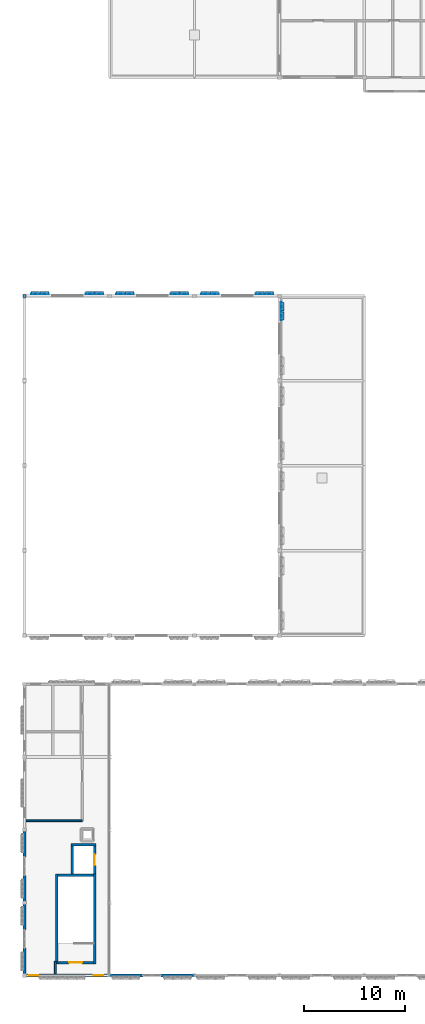
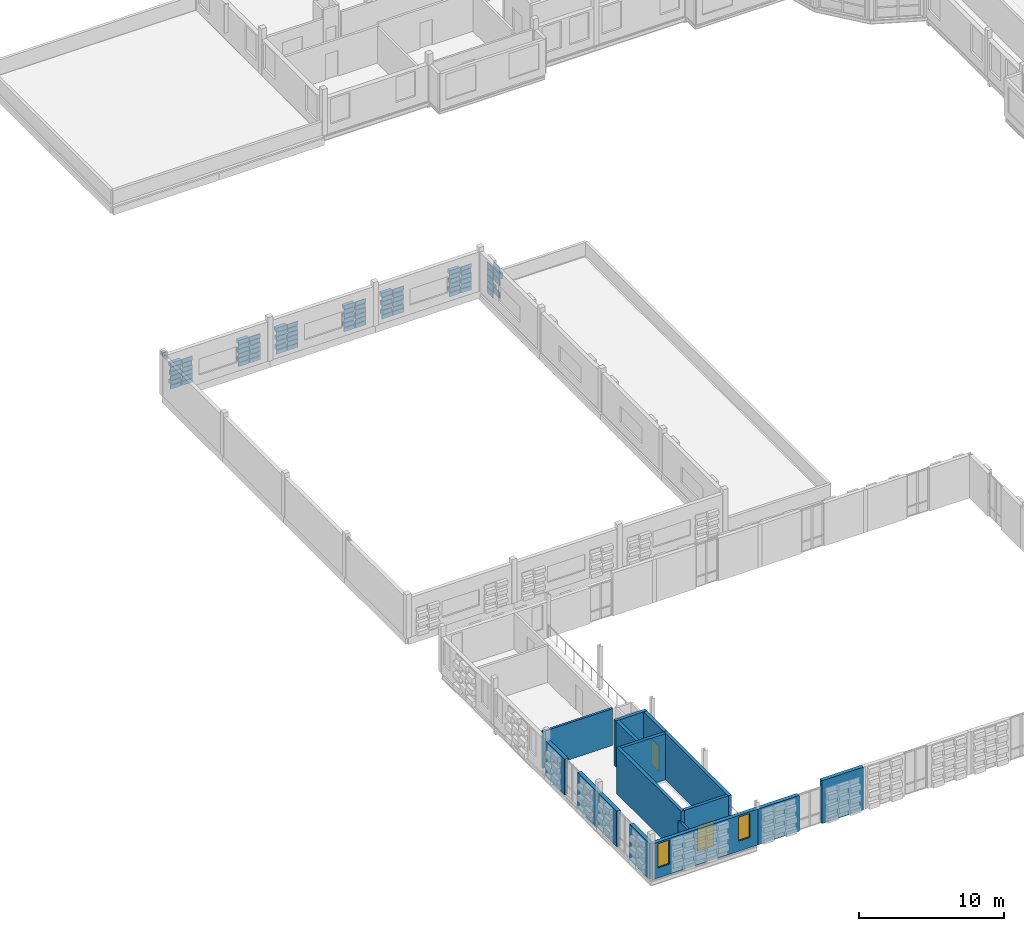
# One storey, part 34 of 57: 82 plates, 16 walls, 2 doors, 2 windows, 4 openings.
"""IFC4 building model written with IfcOpenShell, lengths in metres."""

from ifc_helpers import new_model, si_unit, direction, frame, frame_2d, origin, origin_2d, place, context, subcontext, project, spatial, rectangle, extrude, material, layer, layer_set, type_object, element, fill, save


model = new_model("IFC4")

# Units and contexts
model_context = context("Model", 3, precision=1e-05, world=origin(), true_north=direction((0.0, 1.0)))
body_context = subcontext(model_context, "Body", "Model", "MODEL_VIEW")
ifc_project = project(units=[si_unit("LENGTHUNIT", "METRE"), si_unit("AREAUNIT", "SQUARE_METRE"), si_unit("VOLUMEUNIT", "CUBIC_METRE"), si_unit("PLANEANGLEUNIT", "RADIAN"), si_unit("MASSUNIT", "GRAM", prefix="KILO")], contexts=[model_context])

# Site, building, storey
site_placement = place(None, origin())
site = spatial("IfcSite", under=ifc_project, at=site_placement, CompositionType="ELEMENT")
building_placement = place(site_placement, origin())
building = spatial("IfcBuilding", under=site, at=building_placement, Name="Kahlenmark Community Centre", CompositionType="ELEMENT")
storey_placement = place(building_placement, frame((0.0, 0.0, 13.800048828125)))
storey = spatial("IfcBuildingStorey", under=building, at=storey_placement, Name="L03", CompositionType="ELEMENT", Elevation=13.800048828125)

# Plates
ifc_material_1 = material(Name="Extruded warm terracotta recessed weave tile", Category="masonry")
ifc_layer_1 = layer(ifc_material_1, 0.06005859375)
ifc_layer_set_1 = layer_set([ifc_layer_1], Name="Extruded warm terracotta recessed weave tile")
plate_type_1 = type_object("IfcPlateType", Name="PLT-TC-TC-R10-840X60X333", PredefinedType="SHEET", material=ifc_layer_set_1)
for number, where, z_axis, x_axis, name in (
    (1, (10.469970703125, 76.179931640625, 0.099853515625), (0.0, 0.0, 1.0), (-1.0, 0.0, 0.0), "Basketweave terracotta cassette 4034"),
    (2, (10.469970703125, 76.179931640625, 0.845947265625), (0.0, 0.0, 1.0), (-1.0, 0.0, 0.0), "Basketweave terracotta cassette 4036"),
    (3, (10.469970703125, 76.179931640625, 1.592041015625), (0.0, 0.0, 1.0), (-1.0, 0.0, 0.0), "Basketweave terracotta cassette 4038"),
    (4, (5.070068359375, 76.179931640625, 0.099853515625), (0.0, 0.0, 1.0), (-1.0, 0.0, 0.0), "Basketweave terracotta cassette 4046"),
    (5, (5.070068359375, 76.179931640625, 0.845947265625), (0.0, 0.0, 1.0), (-1.0, 0.0, 0.0), "Basketweave terracotta cassette 4048"),
    (6, (5.070068359375, 76.179931640625, 1.592041015625), (0.0, 0.0, 1.0), (-1.0, 0.0, 0.0), "Basketweave terracotta cassette 4050"),
    (7, (18.8701171875, 76.179931640625, 0.099853515625), (0.0, 0.0, 1.0), (-1.0, 0.0, 0.0), "Basketweave terracotta cassette 4058"),
    (8, (18.8701171875, 76.179931640625, 0.845947265625), (0.0, 0.0, 1.0), (-1.0, 0.0, 0.0), "Basketweave terracotta cassette 4060"),
    (9, (18.8701171875, 76.179931640625, 1.592041015625), (0.0, 0.0, 1.0), (-1.0, 0.0, 0.0), "Basketweave terracotta cassette 4062"),
    (10, (13.469970703125, 76.179931640625, 0.099853515625), (0.0, 0.0, 1.0), (-1.0, 0.0, 0.0), "Basketweave terracotta cassette 4070"),
    (11, (13.469970703125, 76.179931640625, 0.845947265625), (0.0, 0.0, 1.0), (-1.0, 0.0, 0.0), "Basketweave terracotta cassette 4072"),
    (12, (13.469970703125, 76.179931640625, 1.592041015625), (0.0, 0.0, 1.0), (-1.0, 0.0, 0.0), "Basketweave terracotta cassette 4074"),
    (13, (27.27001953125, 76.179931640625, 0.099853515625), (0.0, 0.0, 1.0), (-1.0, 0.0, 0.0), "Basketweave terracotta cassette 4082"),
    (14, (27.27001953125, 76.179931640625, 0.845947265625), (0.0, 0.0, 1.0), (-1.0, 0.0, 0.0), "Basketweave terracotta cassette 4084"),
    (15, (27.27001953125, 76.179931640625, 1.592041015625), (0.0, 0.0, 1.0), (-1.0, 0.0, 0.0), "Basketweave terracotta cassette 4086"),
    (16, (21.8701171875, 76.179931640625, 0.099853515625), (0.0, 0.0, 1.0), (-1.0, 0.0, 0.0), "Basketweave terracotta cassette 4094"),
    (17, (21.8701171875, 76.179931640625, 0.845947265625), (0.0, 0.0, 1.0), (-1.0, 0.0, 0.0), "Basketweave terracotta cassette 4096"),
    (18, (21.8701171875, 76.179931640625, 1.592041015625), (0.0, 0.0, 1.0), (-1.0, 0.0, 0.0), "Basketweave terracotta cassette 4098"),
):
    element("IfcPlate", number, at=place(storey_placement, frame(where, z_axis=z_axis, x_axis=x_axis)), inside=storey, type_object=plate_type_1, Name=name, PredefinedType="SHEET", context=body_context, shape_type="SweptSolid", body=[
        extrude(rectangle(XDim=0.840087890625, YDim=0.06005859375, at=origin_2d()), origin(), (0.0, 0.0, 1.0), 0.3330078125),
    ])
ifc_layer_2 = layer(ifc_material_1, 0.06005859375)
ifc_layer_set_2 = layer_set([ifc_layer_2], Name="Extruded warm terracotta recessed weave tile")
plate_type_2 = type_object("IfcPlateType", Name="PLT-TC-TC-R10-840X60X487", PredefinedType="SHEET", material=ifc_layer_set_2)
for number, where, z_axis, x_axis, name in (
    (19, (29.3798828125, 74.929931640625, 0.10009765625), (0.0, 0.0, 1.0), (0.0, 1.0, 0.0), "Basketweave terracotta cassette 4190"),
    (20, (29.3798828125, 74.929931640625, 1.15380859375), (0.0, 0.0, 1.0), (0.0, 1.0, 0.0), "Basketweave terracotta cassette 4192"),
    (21, (29.3798828125, 74.929931640625, 2.2080078125), (0.0, 0.0, 1.0), (0.0, 1.0, 0.0), "Basketweave terracotta cassette 4194"),
):
    element("IfcPlate", number, at=place(storey_placement, frame(where, z_axis=z_axis, x_axis=x_axis)), inside=storey, type_object=plate_type_2, Name=name, PredefinedType="SHEET", context=body_context, shape_type="SweptSolid", body=[
        extrude(rectangle(XDim=0.840087890625, YDim=0.06005859375, at=origin_2d()), origin(), (0.0, 0.0, 1.0), 0.487060546875),
    ])
ifc_layer_3 = layer(ifc_material_1, 0.06005859375)
ifc_layer_set_3 = layer_set([ifc_layer_3], Name="Extruded warm terracotta recessed weave tile")
plate_type_3 = type_object("IfcPlateType", Name="PLT-TC-TC-R10-860X60X333", PredefinedType="SHEET", material=ifc_layer_set_3)
for number, where, z_axis, x_axis, name in (
    (22, (11.3701171875, 76.179931640625, 0.472900390625), (0.0, 0.0, 1.0), (-1.0, 0.0, 0.0), "Basketweave terracotta cassette 4029"),
    (23, (11.3701171875, 76.179931640625, 1.218994140625), (0.0, 0.0, 1.0), (-1.0, 0.0, 0.0), "Basketweave terracotta cassette 4031"),
    (24, (11.3701171875, 76.179931640625, 1.96484375), (0.0, 0.0, 1.0), (-1.0, 0.0, 0.0), "Basketweave terracotta cassette 4033"),
    (25, (5.969970703125, 76.179931640625, 0.472900390625), (0.0, 0.0, 1.0), (-1.0, 0.0, 0.0), "Basketweave terracotta cassette 4041"),
    (26, (5.969970703125, 76.179931640625, 1.218994140625), (0.0, 0.0, 1.0), (-1.0, 0.0, 0.0), "Basketweave terracotta cassette 4043"),
    (27, (5.969970703125, 76.179931640625, 1.96484375), (0.0, 0.0, 1.0), (-1.0, 0.0, 0.0), "Basketweave terracotta cassette 4045"),
    (28, (19.77001953125, 76.179931640625, 0.472900390625), (0.0, 0.0, 1.0), (-1.0, 0.0, 0.0), "Basketweave terracotta cassette 4053"),
    (29, (19.77001953125, 76.179931640625, 1.218994140625), (0.0, 0.0, 1.0), (-1.0, 0.0, 0.0), "Basketweave terracotta cassette 4055"),
    (30, (19.77001953125, 76.179931640625, 1.96484375), (0.0, 0.0, 1.0), (-1.0, 0.0, 0.0), "Basketweave terracotta cassette 4057"),
    (31, (14.3701171875, 76.179931640625, 0.472900390625), (0.0, 0.0, 1.0), (-1.0, 0.0, 0.0), "Basketweave terracotta cassette 4065"),
    (32, (14.3701171875, 76.179931640625, 1.218994140625), (0.0, 0.0, 1.0), (-1.0, 0.0, 0.0), "Basketweave terracotta cassette 4067"),
    (33, (14.3701171875, 76.179931640625, 1.96484375), (0.0, 0.0, 1.0), (-1.0, 0.0, 0.0), "Basketweave terracotta cassette 4069"),
    (34, (28.169921875, 76.179931640625, 0.472900390625), (0.0, 0.0, 1.0), (-1.0, 0.0, 0.0), "Basketweave terracotta cassette 4077"),
    (35, (28.169921875, 76.179931640625, 1.218994140625), (0.0, 0.0, 1.0), (-1.0, 0.0, 0.0), "Basketweave terracotta cassette 4079"),
    (36, (28.169921875, 76.179931640625, 1.96484375), (0.0, 0.0, 1.0), (-1.0, 0.0, 0.0), "Basketweave terracotta cassette 4081"),
    (37, (22.77001953125, 76.179931640625, 0.472900390625), (0.0, 0.0, 1.0), (-1.0, 0.0, 0.0), "Basketweave terracotta cassette 4089"),
    (38, (22.77001953125, 76.179931640625, 1.218994140625), (0.0, 0.0, 1.0), (-1.0, 0.0, 0.0), "Basketweave terracotta cassette 4091"),
    (39, (22.77001953125, 76.179931640625, 1.96484375), (0.0, 0.0, 1.0), (-1.0, 0.0, 0.0), "Basketweave terracotta cassette 4093"),
):
    element("IfcPlate", number, at=place(storey_placement, frame(where, z_axis=z_axis, x_axis=x_axis)), inside=storey, type_object=plate_type_3, Name=name, PredefinedType="SHEET", context=body_context, shape_type="SweptSolid", body=[
        extrude(rectangle(XDim=0.860107421875, YDim=0.06005859375, at=origin_2d()), origin(), (0.0, 0.0, 1.0), 0.3330078125),
    ])
ifc_layer_4 = layer(ifc_material_1, 0.06005859375)
ifc_layer_set_4 = layer_set([ifc_layer_4], Name="Extruded warm terracotta recessed weave tile")
plate_type_4 = type_object("IfcPlateType", Name="PLT-TC-TC-R10-860X60X487", PredefinedType="SHEET", material=ifc_layer_set_4)
for number, where, z_axis, x_axis, name in (
    (40, (29.3798828125, 74.030029296875, 0.626953125), (0.0, 0.0, 1.0), (0.0, 1.0, 0.0), "Basketweave terracotta cassette 4185"),
    (41, (29.3798828125, 74.030029296875, 1.68115234375), (0.0, 0.0, 1.0), (0.0, 1.0, 0.0), "Basketweave terracotta cassette 4187"),
    (42, (29.3798828125, 74.030029296875, 2.73486328125), (0.0, 0.0, 1.0), (0.0, 1.0, 0.0), "Basketweave terracotta cassette 4189"),
):
    element("IfcPlate", number, at=place(storey_placement, frame(where, z_axis=z_axis, x_axis=x_axis)), inside=storey, type_object=plate_type_4, Name=name, PredefinedType="SHEET", context=body_context, shape_type="SweptSolid", body=[
        extrude(rectangle(XDim=0.860107421875, YDim=0.06005859375, at=origin_2d()), origin(), (0.0, 0.0, 1.0), 0.487060546875),
    ])
ifc_material_2 = material(Name="Extruded glazed terracotta weave cassette", Category="masonry")
ifc_layer_5 = layer(ifc_material_2, 0.300048828125)
ifc_layer_set_5 = layer_set([ifc_layer_5], Name="Extruded glazed terracotta weave cassette")
plate_type_5 = type_object("IfcPlateType", Name="PLT-TC-TC-R34-780X300X333", PredefinedType="SHEET", material=ifc_layer_set_5)
for number, where, z_axis, x_axis, name in (
    (43, (11.3701171875, 76.300048828125, 1.592041015625), (0.0, 0.0, 1.0), (-1.0, 0.0, 0.0), "Basketweave terracotta cassette 4032"),
    (44, (5.969970703125, 76.300048828125, 1.592041015625), (0.0, 0.0, 1.0), (-1.0, 0.0, 0.0), "Basketweave terracotta cassette 4044"),
    (45, (19.77001953125, 76.300048828125, 1.592041015625), (0.0, 0.0, 1.0), (-1.0, 0.0, 0.0), "Basketweave terracotta cassette 4056"),
    (46, (14.3701171875, 76.300048828125, 1.592041015625), (0.0, 0.0, 1.0), (-1.0, 0.0, 0.0), "Basketweave terracotta cassette 4068"),
    (47, (28.169921875, 76.300048828125, 1.592041015625), (0.0, 0.0, 1.0), (-1.0, 0.0, 0.0), "Basketweave terracotta cassette 4080"),
    (48, (22.77001953125, 76.300048828125, 1.592041015625), (0.0, 0.0, 1.0), (-1.0, 0.0, 0.0), "Basketweave terracotta cassette 4092"),
):
    element("IfcPlate", number, at=place(storey_placement, frame(where, z_axis=z_axis, x_axis=x_axis)), inside=storey, type_object=plate_type_5, Name=name, PredefinedType="SHEET", context=body_context, shape_type="SweptSolid", body=[
        extrude(rectangle(XDim=0.780029296875, YDim=0.300048828125, at=origin_2d()), origin(), (0.0, 0.0, 1.0), 0.3330078125),
    ])
ifc_layer_6 = layer(ifc_material_2, 0.300048828125)
ifc_layer_set_6 = layer_set([ifc_layer_6], Name="Extruded glazed terracotta weave cassette")
plate_type_6 = type_object("IfcPlateType", Name="PLT-TC-TC-R34-780X300X487", PredefinedType="SHEET", material=ifc_layer_set_6)
plate_1_placement = place(storey_placement, frame((29.5, 74.030029296875, 2.2080078125), z_axis=(0.0, 0.0, 1.0), x_axis=(0.0, 1.0, 0.0)))
element("IfcPlate", 49, at=plate_1_placement, inside=storey, type_object=plate_type_6, Name="Basketweave terracotta cassette 4188", PredefinedType="SHEET", context=body_context, shape_type="SweptSolid", body=[
    extrude(rectangle(XDim=0.780029296875, YDim=0.300048828125, at=origin_2d()), origin(), (0.0, 0.0, 1.0), 0.487060546875),
])
ifc_layer_7 = layer(ifc_material_2, 0.300048828125)
ifc_layer_set_7 = layer_set([ifc_layer_7], Name="Extruded glazed terracotta weave cassette")
plate_type_7 = type_object("IfcPlateType", Name="PLT-TC-TC-R34-840X300X333", PredefinedType="SHEET", material=ifc_layer_set_7)
for number, where, z_axis, x_axis, name in (
    (50, (11.3701171875, 76.300048828125, 0.845947265625), (0.0, 0.0, 1.0), (-1.0, 0.0, 0.0), "Basketweave terracotta cassette 4030"),
    (51, (5.969970703125, 76.300048828125, 0.845947265625), (0.0, 0.0, 1.0), (-1.0, 0.0, 0.0), "Basketweave terracotta cassette 4042"),
    (52, (19.77001953125, 76.300048828125, 0.845947265625), (0.0, 0.0, 1.0), (-1.0, 0.0, 0.0), "Basketweave terracotta cassette 4054"),
    (53, (14.3701171875, 76.300048828125, 0.845947265625), (0.0, 0.0, 1.0), (-1.0, 0.0, 0.0), "Basketweave terracotta cassette 4066"),
    (54, (28.169921875, 76.300048828125, 0.845947265625), (0.0, 0.0, 1.0), (-1.0, 0.0, 0.0), "Basketweave terracotta cassette 4078"),
    (55, (22.77001953125, 76.300048828125, 0.845947265625), (0.0, 0.0, 1.0), (-1.0, 0.0, 0.0), "Basketweave terracotta cassette 4090"),
):
    element("IfcPlate", number, at=place(storey_placement, frame(where, z_axis=z_axis, x_axis=x_axis)), inside=storey, type_object=plate_type_7, Name=name, PredefinedType="SHEET", context=body_context, shape_type="SweptSolid", body=[
        extrude(rectangle(XDim=0.840087890625, YDim=0.300048828125, at=origin_2d()), origin(), (0.0, 0.0, 1.0), 0.3330078125),
    ])
ifc_layer_8 = layer(ifc_material_2, 0.300048828125)
ifc_layer_set_8 = layer_set([ifc_layer_8], Name="Extruded glazed terracotta weave cassette")
plate_type_8 = type_object("IfcPlateType", Name="PLT-TC-TC-R34-860X300X333", PredefinedType="SHEET", material=ifc_layer_set_8)
for number, where, z_axis, x_axis, name in (
    (56, (11.3701171875, 76.300048828125, 0.099853515625), (0.0, 0.0, 1.0), (-1.0, 0.0, 0.0), "Basketweave terracotta cassette 4028"),
    (57, (5.969970703125, 76.300048828125, 0.099853515625), (0.0, 0.0, 1.0), (-1.0, 0.0, 0.0), "Basketweave terracotta cassette 4040"),
    (58, (19.77001953125, 76.300048828125, 0.099853515625), (0.0, 0.0, 1.0), (-1.0, 0.0, 0.0), "Basketweave terracotta cassette 4052"),
    (59, (14.3701171875, 76.300048828125, 0.099853515625), (0.0, 0.0, 1.0), (-1.0, 0.0, 0.0), "Basketweave terracotta cassette 4064"),
    (60, (28.169921875, 76.300048828125, 0.099853515625), (0.0, 0.0, 1.0), (-1.0, 0.0, 0.0), "Basketweave terracotta cassette 4076"),
    (61, (22.77001953125, 76.300048828125, 0.099853515625), (0.0, 0.0, 1.0), (-1.0, 0.0, 0.0), "Basketweave terracotta cassette 4088"),
):
    element("IfcPlate", number, at=place(storey_placement, frame(where, z_axis=z_axis, x_axis=x_axis)), inside=storey, type_object=plate_type_8, Name=name, PredefinedType="SHEET", context=body_context, shape_type="SweptSolid", body=[
        extrude(rectangle(XDim=0.860107421875, YDim=0.300048828125, at=origin_2d()), origin(), (0.0, 0.0, 1.0), 0.3330078125),
    ])
ifc_layer_9 = layer(ifc_material_2, 0.280029296875)
ifc_layer_set_9 = layer_set([ifc_layer_9], Name="Extruded glazed terracotta weave cassette")
plate_type_9 = type_object("IfcPlateType", Name="PLT-TC-TC-W30-800X280X333", PredefinedType="SHEET", material=ifc_layer_set_9)
for number, where, z_axis, x_axis, name in (
    (62, (10.469970703125, 76.2900390625, 1.218994140625), (0.0, 0.0, 1.0), (-1.0, 0.0, 0.0), "Basketweave terracotta cassette 4037"),
    (63, (5.070068359375, 76.2900390625, 1.218994140625), (0.0, 0.0, 1.0), (-1.0, 0.0, 0.0), "Basketweave terracotta cassette 4049"),
    (64, (18.8701171875, 76.2900390625, 1.218994140625), (0.0, 0.0, 1.0), (-1.0, 0.0, 0.0), "Basketweave terracotta cassette 4061"),
    (65, (13.469970703125, 76.2900390625, 1.218994140625), (0.0, 0.0, 1.0), (-1.0, 0.0, 0.0), "Basketweave terracotta cassette 4073"),
    (66, (27.27001953125, 76.2900390625, 1.218994140625), (0.0, 0.0, 1.0), (-1.0, 0.0, 0.0), "Basketweave terracotta cassette 4085"),
    (67, (21.8701171875, 76.2900390625, 1.218994140625), (0.0, 0.0, 1.0), (-1.0, 0.0, 0.0), "Basketweave terracotta cassette 4097"),
):
    element("IfcPlate", number, at=place(storey_placement, frame(where, z_axis=z_axis, x_axis=x_axis)), inside=storey, type_object=plate_type_9, Name=name, PredefinedType="SHEET", context=body_context, shape_type="SweptSolid", body=[
        extrude(rectangle(XDim=0.800048828125, YDim=0.280029296875, at=origin_2d()), origin(), (0.0, 0.0, 1.0), 0.3330078125),
    ])
ifc_layer_10 = layer(ifc_material_2, 0.280029296875)
ifc_layer_set_10 = layer_set([ifc_layer_10], Name="Extruded glazed terracotta weave cassette")
plate_type_10 = type_object("IfcPlateType", Name="PLT-TC-TC-W30-800X280X487", PredefinedType="SHEET", material=ifc_layer_set_10)
plate_2_placement = place(storey_placement, frame((29.489990234375, 74.929931640625, 1.68115234375), z_axis=(0.0, 0.0, 1.0), x_axis=(0.0, 1.0, 0.0)))
element("IfcPlate", 68, at=plate_2_placement, inside=storey, type_object=plate_type_10, Name="Basketweave terracotta cassette 4193", PredefinedType="SHEET", context=body_context, shape_type="SweptSolid", body=[
    extrude(rectangle(XDim=0.800048828125, YDim=0.280029296875, at=origin_2d()), origin(), (0.0, 0.0, 1.0), 0.487060546875),
])
ifc_layer_11 = layer(ifc_material_2, 0.280029296875)
ifc_layer_set_11 = layer_set([ifc_layer_11], Name="Extruded glazed terracotta weave cassette")
plate_type_11 = type_object("IfcPlateType", Name="PLT-TC-TC-W30-820X280X333", PredefinedType="SHEET", material=ifc_layer_set_11)
for number, where, z_axis, x_axis, name in (
    (69, (10.469970703125, 76.2900390625, 0.472900390625), (0.0, 0.0, 1.0), (-1.0, 0.0, 0.0), "Basketweave terracotta cassette 4035"),
    (70, (5.070068359375, 76.2900390625, 0.472900390625), (0.0, 0.0, 1.0), (-1.0, 0.0, 0.0), "Basketweave terracotta cassette 4047"),
    (71, (18.8701171875, 76.2900390625, 0.472900390625), (0.0, 0.0, 1.0), (-1.0, 0.0, 0.0), "Basketweave terracotta cassette 4059"),
    (72, (13.469970703125, 76.2900390625, 0.472900390625), (0.0, 0.0, 1.0), (-1.0, 0.0, 0.0), "Basketweave terracotta cassette 4071"),
    (73, (27.27001953125, 76.2900390625, 0.472900390625), (0.0, 0.0, 1.0), (-1.0, 0.0, 0.0), "Basketweave terracotta cassette 4083"),
    (74, (21.8701171875, 76.2900390625, 0.472900390625), (0.0, 0.0, 1.0), (-1.0, 0.0, 0.0), "Basketweave terracotta cassette 4095"),
):
    element("IfcPlate", number, at=place(storey_placement, frame(where, z_axis=z_axis, x_axis=x_axis)), inside=storey, type_object=plate_type_11, Name=name, PredefinedType="SHEET", context=body_context, shape_type="SweptSolid", body=[
        extrude(rectangle(XDim=0.820068359375, YDim=0.280029296875, at=origin_2d()), origin(), (0.0, 0.0, 1.0), 0.3330078125),
    ])
ifc_layer_12 = layer(ifc_material_2, 0.280029296875)
ifc_layer_set_12 = layer_set([ifc_layer_12], Name="Extruded glazed terracotta weave cassette")
plate_type_12 = type_object("IfcPlateType", Name="PLT-TC-TC-W30-820X280X487", PredefinedType="SHEET", material=ifc_layer_set_12)
plate_3_placement = place(storey_placement, frame((29.489990234375, 74.929931640625, 0.626953125), z_axis=(0.0, 0.0, 1.0), x_axis=(0.0, 1.0, 0.0)))
element("IfcPlate", 75, at=plate_3_placement, inside=storey, type_object=plate_type_12, Name="Basketweave terracotta cassette 4191", PredefinedType="SHEET", context=body_context, shape_type="SweptSolid", body=[
    extrude(rectangle(XDim=0.820068359375, YDim=0.280029296875, at=origin_2d()), origin(), (0.0, 0.0, 1.0), 0.487060546875),
])
ifc_layer_13 = layer(ifc_material_2, 0.280029296875)
ifc_layer_set_13 = layer_set([ifc_layer_13], Name="Extruded glazed terracotta weave cassette")
plate_type_13 = type_object("IfcPlateType", Name="PLT-TC-TC-W30-860X280X333", PredefinedType="SHEET", material=ifc_layer_set_13)
for number, where, z_axis, x_axis, name in (
    (76, (10.469970703125, 76.2900390625, 1.96484375), (0.0, 0.0, 1.0), (-1.0, 0.0, 0.0), "Basketweave terracotta cassette 4039"),
    (77, (5.070068359375, 76.2900390625, 1.96484375), (0.0, 0.0, 1.0), (-1.0, 0.0, 0.0), "Basketweave terracotta cassette 4051"),
    (78, (18.8701171875, 76.2900390625, 1.96484375), (0.0, 0.0, 1.0), (-1.0, 0.0, 0.0), "Basketweave terracotta cassette 4063"),
    (79, (13.469970703125, 76.2900390625, 1.96484375), (0.0, 0.0, 1.0), (-1.0, 0.0, 0.0), "Basketweave terracotta cassette 4075"),
    (80, (27.27001953125, 76.2900390625, 1.96484375), (0.0, 0.0, 1.0), (-1.0, 0.0, 0.0), "Basketweave terracotta cassette 4087"),
    (81, (21.8701171875, 76.2900390625, 1.96484375), (0.0, 0.0, 1.0), (-1.0, 0.0, 0.0), "Basketweave terracotta cassette 4099"),
):
    element("IfcPlate", number, at=place(storey_placement, frame(where, z_axis=z_axis, x_axis=x_axis)), inside=storey, type_object=plate_type_13, Name=name, PredefinedType="SHEET", context=body_context, shape_type="SweptSolid", body=[
        extrude(rectangle(XDim=0.860107421875, YDim=0.280029296875, at=origin_2d()), origin(), (0.0, 0.0, 1.0), 0.3330078125),
    ])
ifc_material_3 = material(Name="Steel S355", Category="steel")
ifc_layer_14 = layer(ifc_material_3, 0.02392578125)
ifc_layer_set_14 = layer_set([ifc_layer_14], Name="Steel S355")
plate_type_14 = type_object("IfcPlateType", Name="PT-NODE-BN-01-30X30X28", PredefinedType="USERDEFINED", material=ifc_layer_set_14)
plate_4_placement = place(storey_placement, frame((4.0, 76.0, 3.31005859375), z_axis=(0.0, 0.0, 1.0), x_axis=(1.0, 0.0, 0.0)))
element("IfcPlate", 82, at=plate_4_placement, inside=storey, type_object=plate_type_14, Name="Steel hollow-node cap plate 0348", ObjectType="STIFFENER_PLATE", PredefinedType="USERDEFINED", context=body_context, shape_type="SweptSolid", body=[
    extrude(rectangle(XDim=0.300048828125, YDim=0.300048828125, at=origin_2d()), origin(), (0.0, 0.0, 1.0), 0.280029296875),
])

# Wall, opening, door
ifc_material_4 = material(Name="Concrete C35/45", Category="concrete")
ifc_layer_15 = layer(ifc_material_4, 0.25)
ifc_layer_set_15 = layer_set([ifc_layer_15], Name="Concrete C35/45")
wall_type_1 = type_object("IfcWallType", Name="WT-CORE-250", PredefinedType="SHEAR", material=ifc_layer_set_15)
wall_1_placement = place(storey_placement, frame((7.300048828125, 10.074951171875, 0.0), z_axis=(0.0, 0.0, 1.0), x_axis=(1.0, 0.0, 0.0)))
wall_1 = element("IfcWall", 83, at=wall_1_placement, inside=storey, type_object=wall_type_1, Name="Core K1 shear wall WL-CORE-K1-L03-0029", PredefinedType="SHEAR", context=body_context, shape_type="SweptSolid", body=[
    extrude(rectangle(XDim=3.5, YDim=0.25, at=frame_2d((1.75, 0.0))), origin(), (0.0, 0.0, 1.0), 3.89990234375),
])
opening_1_placement = place(wall_1_placement, frame((1.10009765625, 0.0, -0.010009765625)))
opening_1 = element("IfcOpeningElement", 84, at=opening_1_placement, cuts=wall_1, Name="Opening FD-K1-L03", PredefinedType="OPENING", context=body_context, shape_type="SweptSolid", body=[
    extrude(rectangle(XDim=1.300048828125, YDim=2.159912109375, at=frame_2d((0.64990234375, 1.080078125))), frame((0.0, 0.135009765625, 0.0), z_axis=(0.0, -1.0, 0.0), x_axis=(1.0, 0.0, 0.0)), (0.0, 0.0, 1.0), 0.27001953125),
])
ifc_material_5 = material(Name="Fire-rated steel-framed timber door FD60S", Category="steel")
door_type_1 = type_object("IfcDoorType", Name="DT-FD-K1-L03", OperationType="NOTDEFINED", PredefinedType="DOOR", material=ifc_material_5)
door_1_placement = place(opening_1_placement, frame((0.0, 0.0, 0.010009765625)))
door_1 = element("IfcDoor", 85, at=door_1_placement, inside=storey, type_object=door_type_1, Name="Core K1 stair fire door L03", OperationType="SINGLE_SWING_RIGHT", OverallHeight=2.14990234375, OverallWidth=1.300048828125, PredefinedType="DOOR", context=body_context, shape_type="SweptSolid", body=[
    extrude(rectangle(XDim=1.300048828125, YDim=2.14990234375, at=frame_2d((0.64990234375, 1.074951171875))), frame((0.0, 0.02490234375, 0.0), z_axis=(0.0, -1.0, 0.0), x_axis=(1.0, 0.0, 0.0)), (0.0, 0.0, 1.0), 0.050048828125),
])
fill(opening_1, door_1)

# Walls
wall_2_placement = place(storey_placement, frame((7.175048828125, 9.949951171875, 0.0), z_axis=(0.0, 0.0, 1.0), x_axis=(0.0, 1.0, 0.0)))
element("IfcWall", 86, at=wall_2_placement, inside=storey, type_object=wall_type_1, Name="Core K1 shear wall WL-CORE-K1-L03-0030", PredefinedType="SHEAR", context=body_context, shape_type="SweptSolid", body=[
    extrude(rectangle(XDim=8.900146484375, YDim=0.25, at=frame_2d((4.4501953125, 0.0))), origin(), (0.0, 0.0, 1.0), 3.89990234375),
])
wall_3_placement = place(storey_placement, frame((10.800048828125, 18.72509765625, 0.0), z_axis=(0.0, 0.0, 1.0), x_axis=(-1.0, 0.0, 0.0)))
element("IfcWall", 87, at=wall_3_placement, inside=storey, type_object=wall_type_1, Name="Core K1 shear wall WL-CORE-K1-L03-0031", PredefinedType="SHEAR", context=body_context, shape_type="SweptSolid", body=[
    extrude(rectangle(XDim=3.5, YDim=0.25, at=frame_2d((1.75, 0.0))), origin(), (0.0, 0.0, 1.0), 3.89990234375),
])
wall_4_placement = place(storey_placement, frame((10.925048828125, 9.949951171875, 0.0), z_axis=(0.0, 0.0, 1.0), x_axis=(0.0, 1.0, 0.0)))
element("IfcWall", 88, at=wall_4_placement, inside=storey, type_object=wall_type_1, Name="Core K1 shear wall WL-CORE-K1-L03-0032", PredefinedType="SHEAR", context=body_context, shape_type="SweptSolid", body=[
    extrude(rectangle(XDim=8.900146484375, YDim=0.25, at=frame_2d((4.4501953125, 0.0))), origin(), (0.0, 0.0, 1.0), 3.89990234375),
])
wall_5_placement = place(storey_placement, frame((8.590087890625, 21.735107421875, 0.0), z_axis=(0.0, 0.0, 1.0), x_axis=(1.0, 0.0, 0.0)))
element("IfcWall", 89, at=wall_5_placement, inside=storey, type_object=wall_type_1, Name="Core K1 shear wall WL-CORE-K1-L03-0033", PredefinedType="SHEAR", context=body_context, shape_type="SweptSolid", body=[
    extrude(rectangle(XDim=2.4599609375, YDim=0.25, at=frame_2d((1.22998046875, 0.0))), origin(), (0.0, 0.0, 1.0), 3.89990234375),
])

# Wall, opening, door
wall_6_placement = place(storey_placement, frame((10.925048828125, 18.85009765625, 0.0), z_axis=(0.0, 0.0, 1.0), x_axis=(0.0, 1.0, 0.0)))
wall_6 = element("IfcWall", 90, at=wall_6_placement, inside=storey, type_object=wall_type_1, Name="Core K1 shear wall WL-CORE-K1-L03-0034", PredefinedType="SHEAR", context=body_context, shape_type="SweptSolid", body=[
    extrude(rectangle(XDim=2.760009765625, YDim=0.25, at=frame_2d((1.3798828125, 0.0))), origin(), (0.0, 0.0, 1.0), 3.89990234375),
])
opening_2_placement = place(wall_6_placement, frame((0.830078125, 0.0, -0.010009765625)))
opening_2 = element("IfcOpeningElement", 91, at=opening_2_placement, cuts=wall_6, Name="Opening LD-1", PredefinedType="OPENING", context=body_context, shape_type="SweptSolid", body=[
    extrude(rectangle(XDim=1.10009765625, YDim=2.159912109375, at=frame_2d((0.550048828125, 1.080078125))), frame((0.0, 0.135009765625, 0.0), z_axis=(0.0, -1.0, 0.0), x_axis=(1.0, 0.0, 0.0)), (0.0, 0.0, 1.0), 0.27001953125),
])
ifc_material_6 = material(Name="Brushed stainless steel sliding lift landing door", Category="steel")
door_type_2 = type_object("IfcDoorType", Name="DT-LD-K1", OperationType="SLIDING_TO_LEFT", PredefinedType="DOOR", material=ifc_material_6)
door_2_placement = place(opening_2_placement, frame((0.0, 0.0, 0.010009765625)))
door_2 = element("IfcDoor", 92, at=door_2_placement, inside=storey, type_object=door_type_2, Name="Lift LF-01 sliding landing door L03", OperationType="SLIDING_TO_LEFT", OverallHeight=2.14990234375, OverallWidth=1.10009765625, PredefinedType="DOOR", context=body_context, shape_type="SweptSolid", body=[
    extrude(rectangle(XDim=1.10009765625, YDim=2.14990234375, at=frame_2d((0.550048828125, 1.074951171875))), frame((0.0, 0.02490234375, 0.0), z_axis=(0.0, -1.0, 0.0), x_axis=(1.0, 0.0, 0.0)), (0.0, 0.0, 1.0), 0.050048828125),
])
fill(opening_2, door_2)

# Wall
wall_7_placement = place(storey_placement, frame((8.715087890625, 18.85009765625, 0.0), z_axis=(0.0, 0.0, 1.0), x_axis=(0.0, 1.0, 0.0)))
element("IfcWall", 93, at=wall_7_placement, inside=storey, type_object=wall_type_1, Name="Core K1 shear wall WL-CORE-K1-L03-0035", PredefinedType="SHEAR", context=body_context, shape_type="SweptSolid", body=[
    extrude(rectangle(XDim=3.010009765625, YDim=0.25, at=frame_2d((1.5048828125, 0.0))), origin(), (0.0, 0.0, 1.0), 3.89990234375),
])

# Wall, openings, windows
ifc_material_7 = material(Name="Cross-laminated timber CLT C24", Category="wood")
ifc_layer_16 = layer(ifc_material_7, 0.300048828125)
ifc_layer_set_16 = layer_set([ifc_layer_16], Name="Cross-laminated timber CLT C24")
wall_type_2 = type_object("IfcWallType", Name="WT-EW-300", PredefinedType="SOLIDWALL", material=ifc_layer_set_16)
wall_8_placement = place(storey_placement, frame((4.0, 8.800048828125, 0.0), z_axis=(0.0, 0.0, 1.0), x_axis=(1.0, 0.0, 0.0)))
wall_8 = element("IfcWall", 94, at=wall_8_placement, inside=storey, type_object=wall_type_2, Name="Exterior wall WL-EXT-L03-0545", PredefinedType="SOLIDWALL", context=body_context, shape_type="SweptSolid", body=[
    extrude(rectangle(XDim=8.39990234375, YDim=0.300048828125, at=frame_2d((4.199951171875, 0.0))), origin(), (0.0, 0.0, 1.0), 3.010009765625),
])
opening_3_placement = place(wall_8_placement, frame((0.4599609375, 0.0, 0.85009765625)))
opening_3 = element("IfcOpeningElement", 95, at=opening_3_placement, cuts=wall_8, Name="Opening W-090X202", PredefinedType="OPENING", context=body_context, shape_type="SweptSolid", body=[
    extrude(rectangle(XDim=0.89990234375, YDim=2.02001953125, at=frame_2d((0.449951171875, 1.010009765625))), frame((0.0, 0.159912109375, 0.0), z_axis=(0.0, -1.0, 0.0), x_axis=(1.0, 0.0, 0.0)), (0.0, 0.0, 1.0), 0.320068359375),
])
opening_4_placement = place(wall_8_placement, frame((6.860107421875, 0.0, 0.85009765625)))
opening_4 = element("IfcOpeningElement", 96, at=opening_4_placement, cuts=wall_8, Name="Opening W-090X202", PredefinedType="OPENING", context=body_context, shape_type="SweptSolid", body=[
    extrude(rectangle(XDim=0.89990234375, YDim=2.02001953125, at=frame_2d((0.449951171875, 1.010009765625))), frame((0.0, 0.159912109375, 0.0), z_axis=(0.0, -1.0, 0.0), x_axis=(1.0, 0.0, 0.0)), (0.0, 0.0, 1.0), 0.320068359375),
])
ifc_material_8 = material(Name="Recessed basketweave aperture triple glazing", Category="glass")
window_type = type_object("IfcWindowType", Name="WNT-090X202", PartitioningType="SINGLE_PANEL", PredefinedType="WINDOW", material=ifc_material_8)
window_1_placement = place(opening_3_placement, origin())
window_1 = element("IfcWindow", 97, at=window_1_placement, inside=storey, type_object=window_type, Name="Window W-090X202 #0341", OverallHeight=2.02001953125, OverallWidth=0.89990234375, PartitioningType="SINGLE_PANEL", PredefinedType="WINDOW", context=body_context, shape_type="SweptSolid", body=[
    extrude(rectangle(XDim=0.89990234375, YDim=2.02001953125, at=frame_2d((0.449951171875, 1.010009765625))), frame((0.0, 0.030029296875, 0.0), z_axis=(0.0, -1.0, 0.0), x_axis=(1.0, 0.0, 0.0)), (0.0, 0.0, 1.0), 0.06005859375),
])
fill(opening_3, window_1)
window_2_placement = place(opening_4_placement, origin())
window_2 = element("IfcWindow", 98, at=window_2_placement, inside=storey, type_object=window_type, Name="Window W-090X202 #0342", OverallHeight=2.02001953125, OverallWidth=0.89990234375, PartitioningType="SINGLE_PANEL", PredefinedType="WINDOW", context=body_context, shape_type="SweptSolid", body=[
    extrude(rectangle(XDim=0.89990234375, YDim=2.02001953125, at=frame_2d((0.449951171875, 1.010009765625))), frame((0.0, 0.030029296875, 0.0), z_axis=(0.0, -1.0, 0.0), x_axis=(1.0, 0.0, 0.0)), (0.0, 0.0, 1.0), 0.06005859375),
])
fill(opening_4, window_2)

# Walls
wall_9_placement = place(storey_placement, frame((12.39990234375, 8.800048828125, 0.0), z_axis=(0.0, 0.0, 1.0), x_axis=(1.0, 0.0, 0.0)))
element("IfcWall", 99, at=wall_9_placement, inside=storey, type_object=wall_type_2, Name="Basketweave backup wall WL-EXT-L03-0546", PredefinedType="SOLIDWALL", context=body_context, shape_type="SweptSolid", body=[
    extrude(rectangle(XDim=3.300048828125, YDim=0.300048828125, at=frame_2d((1.64990234375, 0.0))), origin(), (0.0, 0.0, 1.0), 3.010009765625),
])
wall_10_placement = place(storey_placement, frame((17.5, 8.800048828125, 0.0), z_axis=(0.0, 0.0, 1.0), x_axis=(1.0, 0.0, 0.0)))
element("IfcWall", 100, at=wall_10_placement, inside=storey, type_object=wall_type_2, Name="Basketweave backup wall WL-EXT-L03-0547", PredefinedType="SOLIDWALL", context=body_context, shape_type="SweptSolid", body=[
    extrude(rectangle(XDim=3.300048828125, YDim=0.300048828125, at=frame_2d((1.64990234375, 0.0))), origin(), (0.0, 0.0, 1.0), 3.599853515625),
])
for number, where, z_axis, x_axis, name in (
    (101, (4.0, 16.0, 0.0), (0.0, 0.0, 1.0), (0.0, -1.0, 0.0), "Basketweave backup wall WL-EXT-L03-0563"),
    (102, (4.0, 11.5, 0.0), (0.0, 0.0, 1.0), (0.0, -1.0, 0.0), "Basketweave backup wall WL-EXT-L03-0564"),
    (103, (4.0, 23.199951171875, 0.0), (0.0, 0.0, 1.0), (0.0, -1.0, 0.0), "Basketweave backup wall WL-EXT-L03-0565"),
    (104, (4.0, 18.699951171875, 0.0), (0.0, 0.0, 1.0), (0.0, -1.0, 0.0), "Basketweave backup wall WL-EXT-L03-0566"),
):
    element("IfcWall", number, at=place(storey_placement, frame(where, z_axis=z_axis, x_axis=x_axis)), inside=storey, type_object=wall_type_2, Name=name, PredefinedType="SOLIDWALL", context=body_context, shape_type="SweptSolid", body=[
        extrude(rectangle(XDim=2.699951171875, YDim=0.300048828125, at=frame_2d((1.35009765625, 0.0))), origin(), (0.0, 0.0, 1.0), 3.010009765625),
    ])
ifc_material_9 = material(Name="Gypsum plasterboard partition", Category="gypsum")
ifc_layer_17 = layer(ifc_material_9, 0.179931640625)
ifc_layer_set_17 = layer_set([ifc_layer_17], Name="Gypsum plasterboard partition")
wall_type_3 = type_object("IfcWallType", Name="WT-PW-180", PredefinedType="PARTITIONING", material=ifc_layer_set_17)
wall_11_placement = place(storey_placement, frame((7.050048828125, 8.9599609375, 0.0), z_axis=(0.0, 0.0, 1.0), x_axis=(0.0, 1.0, 0.0)))
element("IfcWall", 105, at=wall_11_placement, inside=storey, type_object=wall_type_3, Name="Interior partition WL-INT-L03-0211", PredefinedType="PARTITIONING", context=body_context, shape_type="SweptSolid", body=[
    extrude(rectangle(XDim=1.239990234375, YDim=0.179931640625, at=frame_2d((0.6201171875, 0.0))), origin(), (0.0, 0.0, 1.0), 3.010009765625),
])
wall_12_placement = place(storey_placement, frame((4.159912109375, 24.10009765625, 0.0), z_axis=(0.0, 0.0, 1.0), x_axis=(1.0, 0.0, 0.0)))
element("IfcWall", 106, at=wall_12_placement, inside=storey, type_object=wall_type_3, Name="Interior partition WL-INT-L03-0212", PredefinedType="PARTITIONING", context=body_context, shape_type="SweptSolid", body=[
    extrude(rectangle(XDim=5.56005859375, YDim=0.179931640625, at=frame_2d((2.780029296875, 0.0))), origin(), (0.0, 0.0, 1.0), 3.08984375),
])

save(model, "model.ifc")
